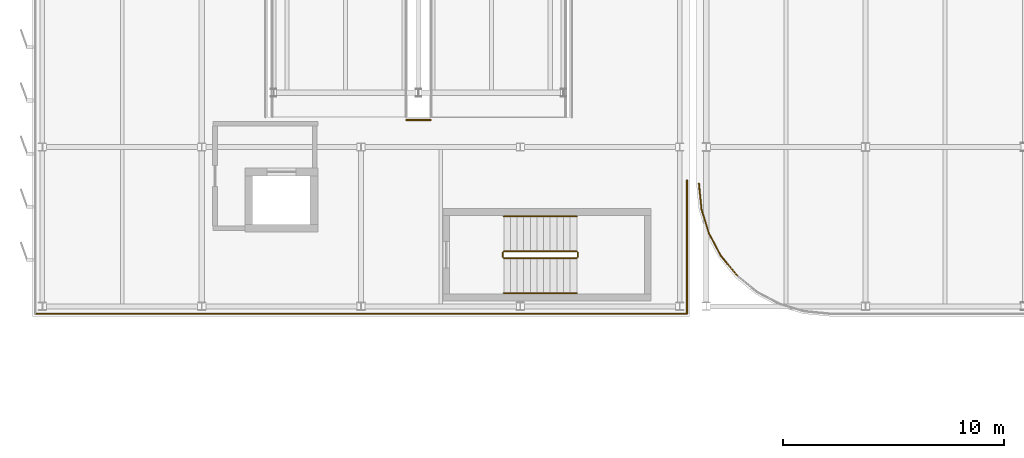
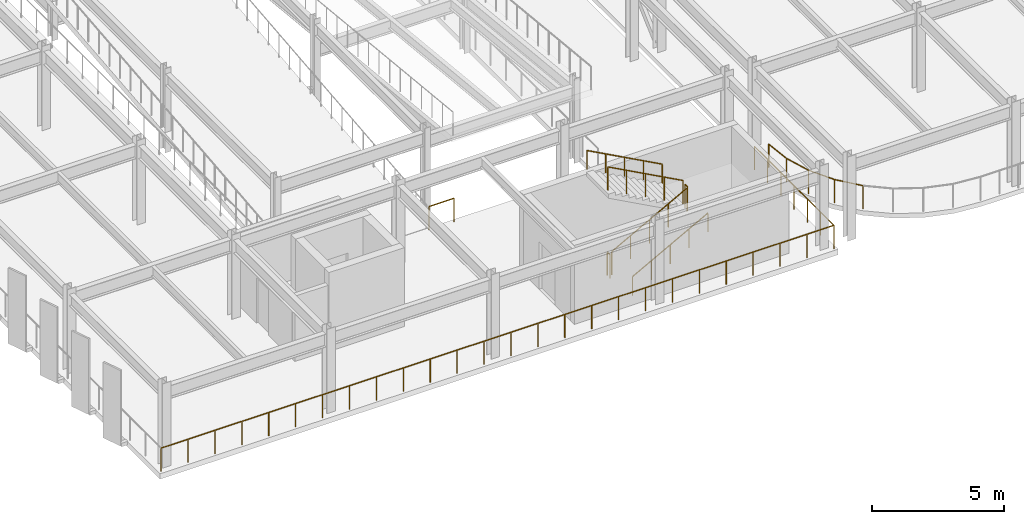
# One storey, part 42 of 52: 13 railings.
"""IFC4 building model written with IfcOpenShell, lengths in metres."""

from ifc_helpers import new_model, si_unit, direction, frame, origin, origin_2d, place, context, subcontext, project, spatial, circle, extrude, material, layer, layer_set, type_object, element, save


model = new_model("IFC4")

# Units and contexts
model_context = context("Model", 3, precision=1e-05, world=origin(), true_north=direction((0.0, 1.0)))
body_context = subcontext(model_context, "Body", "Model", "MODEL_VIEW")
ifc_project = project(units=[si_unit("LENGTHUNIT", "METRE"), si_unit("AREAUNIT", "SQUARE_METRE"), si_unit("VOLUMEUNIT", "CUBIC_METRE"), si_unit("PLANEANGLEUNIT", "RADIAN"), si_unit("MASSUNIT", "GRAM", prefix="KILO")], contexts=[model_context])

# Site, building, storey
site_placement = place(None, origin())
site = spatial("IfcSite", under=ifc_project, at=site_placement, CompositionType="ELEMENT")
building_placement = place(site_placement, origin())
building = spatial("IfcBuilding", under=site, at=building_placement, Name="Vaelcorin Mobility Hub", CompositionType="ELEMENT")
storey_placement = place(building_placement, frame((0.0, 0.0, 13.199951171875)))
storey = spatial("IfcBuildingStorey", under=building, at=storey_placement, Name="L03", CompositionType="ELEMENT", Elevation=13.199951171875)

# Railings
ifc_material_1 = material(Name="Galvanised structural steel ASTM A36", Category="steel")
ifc_layer_1 = layer(ifc_material_1, 0.070068359375)
ifc_layer_set_1 = layer_set([ifc_layer_1], Name="Galvanised structural steel ASTM A36")
railing_type_1 = type_object("IfcRailingType", Name="RL-GUARD-1100", PredefinedType="BALUSTRADE", material=ifc_layer_set_1)
railing_1_placement = place(storey_placement, frame((35.669921875, 82.35009765625, 0.0)))
element("IfcRailing", 1, at=railing_1_placement, inside=storey, type_object=railing_type_1, Name="L03 Perimeter Guard GR-V4-L03-S-01-01", PredefinedType="BALUSTRADE", context=body_context, shape_type="SweptSolid", body=[
    extrude(circle(Radius=0.02392578125, at=origin_2d()), frame((0.0, 0.0, 1.076171875), z_axis=(0.098056761291, -0.995180823552, 0.0), x_axis=(0.995180823552, 0.098056761291, 0.0)), (0.0, 0.0, 1.0), 1.15283203125),
    extrude(circle(Radius=0.02099609375, at=origin_2d()), origin(), (0.0, 0.0, 1.0), 1.052001953125),
    extrude(circle(Radius=0.02099609375, at=origin_2d()), frame((0.113037109375, -1.147216796875, 0.0)), (0.0, 0.0, 1.0), 1.052001953125),
])
railing_2_placement = place(storey_placement, frame((35.782958984375, 81.202880859375, 0.0)))
element("IfcRailing", 2, at=railing_2_placement, inside=storey, type_object=railing_type_1, Name="L03 Perimeter Guard GR-V4-L03-S-01-02", PredefinedType="BALUSTRADE", context=body_context, shape_type="SweptSolid", body=[
    extrude(circle(Radius=0.02392578125, at=origin_2d()), frame((0.0, 0.0, 1.076171875), z_axis=(0.290630530394, -0.956835354073, 0.0), x_axis=(0.956835354073, 0.290630530394, 0.0)), (0.0, 0.0, 1.0), 1.152587890625),
    extrude(circle(Radius=0.02099609375, at=origin_2d()), origin(), (0.0, 0.0, 1.0), 1.052001953125),
    extrude(circle(Radius=0.02099609375, at=origin_2d()), frame((0.3349609375, -1.102783203125, 0.0)), (0.0, 0.0, 1.0), 1.052001953125),
])
railing_3_placement = place(storey_placement, frame((36.117919921875, 80.10009765625, 0.0)))
element("IfcRailing", 3, at=railing_3_placement, inside=storey, type_object=railing_type_1, Name="L03 Perimeter Guard GR-V4-L03-S-01-03", PredefinedType="BALUSTRADE", context=body_context, shape_type="SweptSolid", body=[
    extrude(circle(Radius=0.02392578125, at=origin_2d()), frame((0.0, 0.0, 1.076171875), z_axis=(0.470939899312, -0.882165297003, 0.0), x_axis=(0.882165297003, 0.470939899312, 0.0)), (0.0, 0.0, 1.0), 1.15283203125),
    extrude(circle(Radius=0.02099609375, at=origin_2d()), origin(), (0.0, 0.0, 1.0), 1.052001953125),
    extrude(circle(Radius=0.02099609375, at=origin_2d()), frame((0.54296875, -1.01708984375, 0.0)), (0.0, 0.0, 1.0), 1.052001953125),
])
railing_4_placement = place(storey_placement, frame((36.660888671875, 79.0830078125, 0.0)))
element("IfcRailing", 4, at=railing_4_placement, inside=storey, type_object=railing_type_1, Name="L03 Perimeter Guard GR-V4-L03-S-01-04", PredefinedType="BALUSTRADE", context=body_context, shape_type="SweptSolid", body=[
    extrude(circle(Radius=0.02392578125, at=origin_2d()), frame((0.0, 0.0, 1.076171875), z_axis=(0.63433283962, -0.773060054963, 0.0), x_axis=(0.773060054963, 0.63433283962, 0.0)), (0.0, 0.0, 1.0), 1.152587890625),
    extrude(circle(Radius=0.02099609375, at=origin_2d()), origin(), (0.0, 0.0, 1.0), 1.052001953125),
    extrude(circle(Radius=0.02099609375, at=origin_2d()), frame((0.731201171875, -0.89111328125, 0.0)), (0.0, 0.0, 1.0), 1.052001953125),
])
railing_5_placement = place(storey_placement, frame((22.449951171875, 85.219970703125, 0.0)))
element("IfcRailing", 5, at=railing_5_placement, inside=storey, type_object=railing_type_1, Name="L03 Perimeter Guard GR-V2W-L03-WELL-MED-01", PredefinedType="BALUSTRADE", context=body_context, shape_type="SweptSolid", body=[
    extrude(circle(Radius=0.02392578125, at=origin_2d()), frame((0.0, 0.0, 1.076171875), z_axis=(1.0, 0.0, 0.0), x_axis=(0.0, 1.0, 0.0)), (0.0, 0.0, 1.0), 1.10009765625),
    extrude(circle(Radius=0.02099609375, at=origin_2d()), origin(), (0.0, 0.0, 1.0), 1.052001953125),
    extrude(circle(Radius=0.02099609375, at=origin_2d()), frame((1.10009765625, 0.0, 0.0)), (0.0, 0.0, 1.0), 1.052001953125),
])
railing_6_placement = place(storey_placement, frame((35.1298828125, 82.5, 0.0)))
element("IfcRailing", 6, at=railing_6_placement, inside=storey, type_object=railing_type_1, Name="L03 Perimeter Guard GR-V2W-L03-01", PredefinedType="BALUSTRADE", context=body_context, shape_type="SweptSolid", body=[
    extrude(circle(Radius=0.02392578125, at=origin_2d()), frame((0.0, 0.0, 1.076171875), z_axis=(0.0, -1.0, 0.0), x_axis=(1.0, 0.0, 0.0)), (0.0, 0.0, 1.0), 6.030029296875),
    extrude(circle(Radius=0.02099609375, at=origin_2d()), origin(), (0.0, 0.0, 1.0), 1.052001953125),
    extrude(circle(Radius=0.02099609375, at=origin_2d()), frame((0.0, -1.0048828125, 0.0)), (0.0, 0.0, 1.0), 1.052001953125),
    extrude(circle(Radius=0.02099609375, at=origin_2d()), frame((0.0, -2.010009765625, 0.0)), (0.0, 0.0, 1.0), 1.052001953125),
    extrude(circle(Radius=0.02099609375, at=origin_2d()), frame((0.0, -3.01513671875, 0.0)), (0.0, 0.0, 1.0), 1.052001953125),
    extrude(circle(Radius=0.02099609375, at=origin_2d()), frame((0.0, -4.02001953125, 0.0)), (0.0, 0.0, 1.0), 1.052001953125),
    extrude(circle(Radius=0.02099609375, at=origin_2d()), frame((0.0, -5.02490234375, 0.0)), (0.0, 0.0, 1.0), 1.052001953125),
    extrude(circle(Radius=0.02099609375, at=origin_2d()), frame((0.0, -6.030029296875, 0.0)), (0.0, 0.0, 1.0), 1.052001953125),
])
railing_7_placement = place(storey_placement, frame((35.1298828125, 76.469970703125, 0.0)))
element("IfcRailing", 7, at=railing_7_placement, inside=storey, type_object=railing_type_1, Name="L03 Perimeter Guard GR-V2W-L03-02", PredefinedType="BALUSTRADE", context=body_context, shape_type="SweptSolid", body=[
    extrude(circle(Radius=0.02392578125, at=origin_2d()), frame((0.0, 0.0, 1.076171875), z_axis=(-1.0, 0.0, 0.0), x_axis=(0.0, -1.0, 0.0)), (0.0, 0.0, 1.0), 29.4599609375),
    extrude(circle(Radius=0.02099609375, at=origin_2d()), origin(), (0.0, 0.0, 1.0), 1.052001953125),
    extrude(circle(Radius=0.02099609375, at=origin_2d()), frame((-1.178466796875, 0.0, 0.0)), (0.0, 0.0, 1.0), 1.052001953125),
    extrude(circle(Radius=0.02099609375, at=origin_2d()), frame((-2.356689453125, 0.0, 0.0)), (0.0, 0.0, 1.0), 1.052001953125),
    extrude(circle(Radius=0.02099609375, at=origin_2d()), frame((-3.53515625, 0.0, 0.0)), (0.0, 0.0, 1.0), 1.052001953125),
    extrude(circle(Radius=0.02099609375, at=origin_2d()), frame((-4.713623046875, 0.0, 0.0)), (0.0, 0.0, 1.0), 1.052001953125),
    extrude(circle(Radius=0.02099609375, at=origin_2d()), frame((-5.89208984375, 0.0, 0.0)), (0.0, 0.0, 1.0), 1.052001953125),
    extrude(circle(Radius=0.02099609375, at=origin_2d()), frame((-7.0703125, 0.0, 0.0)), (0.0, 0.0, 1.0), 1.052001953125),
    extrude(circle(Radius=0.02099609375, at=origin_2d()), frame((-8.248779296875, 0.0, 0.0)), (0.0, 0.0, 1.0), 1.052001953125),
    extrude(circle(Radius=0.02099609375, at=origin_2d()), frame((-9.42724609375, 0.0, 0.0)), (0.0, 0.0, 1.0), 1.052001953125),
    extrude(circle(Radius=0.02099609375, at=origin_2d()), frame((-10.60546875, 0.0, 0.0)), (0.0, 0.0, 1.0), 1.052001953125),
    extrude(circle(Radius=0.02099609375, at=origin_2d()), frame((-11.783935546875, 0.0, 0.0)), (0.0, 0.0, 1.0), 1.052001953125),
    extrude(circle(Radius=0.02099609375, at=origin_2d()), frame((-12.96240234375, 0.0, 0.0)), (0.0, 0.0, 1.0), 1.052001953125),
    extrude(circle(Radius=0.02099609375, at=origin_2d()), frame((-14.140869140625, 0.0, 0.0)), (0.0, 0.0, 1.0), 1.052001953125),
    extrude(circle(Radius=0.02099609375, at=origin_2d()), frame((-15.319091796875, 0.0, 0.0)), (0.0, 0.0, 1.0), 1.052001953125),
    extrude(circle(Radius=0.02099609375, at=origin_2d()), frame((-16.49755859375, 0.0, 0.0)), (0.0, 0.0, 1.0), 1.052001953125),
    extrude(circle(Radius=0.02099609375, at=origin_2d()), frame((-17.676025390625, 0.0, 0.0)), (0.0, 0.0, 1.0), 1.052001953125),
    extrude(circle(Radius=0.02099609375, at=origin_2d()), frame((-18.8544921875, 0.0, 0.0)), (0.0, 0.0, 1.0), 1.052001953125),
    extrude(circle(Radius=0.02099609375, at=origin_2d()), frame((-20.03271484375, 0.0, 0.0)), (0.0, 0.0, 1.0), 1.052001953125),
    extrude(circle(Radius=0.02099609375, at=origin_2d()), frame((-21.211181640625, 0.0, 0.0)), (0.0, 0.0, 1.0), 1.052001953125),
    extrude(circle(Radius=0.02099609375, at=origin_2d()), frame((-22.3896484375, 0.0, 0.0)), (0.0, 0.0, 1.0), 1.052001953125),
    extrude(circle(Radius=0.02099609375, at=origin_2d()), frame((-23.56787109375, 0.0, 0.0)), (0.0, 0.0, 1.0), 1.052001953125),
    extrude(circle(Radius=0.02099609375, at=origin_2d()), frame((-24.746337890625, 0.0, 0.0)), (0.0, 0.0, 1.0), 1.052001953125),
    extrude(circle(Radius=0.02099609375, at=origin_2d()), frame((-25.9248046875, 0.0, 0.0)), (0.0, 0.0, 1.0), 1.052001953125),
    extrude(circle(Radius=0.02099609375, at=origin_2d()), frame((-27.103271484375, 0.0, 0.0)), (0.0, 0.0, 1.0), 1.052001953125),
    extrude(circle(Radius=0.02099609375, at=origin_2d()), frame((-28.281494140625, 0.0, 0.0)), (0.0, 0.0, 1.0), 1.052001953125),
    extrude(circle(Radius=0.02099609375, at=origin_2d()), frame((-29.4599609375, 0.0, 0.0)), (0.0, 0.0, 1.0), 1.052001953125),
])
ifc_material_2 = material(Name="Brushed stainless steel 316L", Category="steel")
ifc_layer_2 = layer(ifc_material_2, 0.048095703125)
ifc_layer_set_2 = layer_set([ifc_layer_2], Name="Brushed stainless steel 316L")
railing_type_2 = type_object("IfcRailingType", Name="RL-STAIR-GRD", PredefinedType="GUARDRAIL", material=ifc_layer_set_2)
railing_8_placement = place(storey_placement, frame((26.85009765625, 78.97998046875, 0.16259765625)))
element("IfcRailing", 8, at=railing_8_placement, inside=storey, type_object=railing_type_2, Name="L03 ST1 stair guard 1", PredefinedType="GUARDRAIL", context=body_context, shape_type="SweptSolid", body=[
    extrude(circle(Radius=0.02392578125, at=origin_2d()), frame((0.0, 0.0, 1.076171875), z_axis=(0.879296507316, 0.0, 0.476274765468), x_axis=(0.0, 1.0, 0.0)), (0.0, 0.0, 1.0), 3.752685546875),
    extrude(circle(Radius=0.02099609375, at=origin_2d()), origin(), (0.0, 0.0, 1.0), 1.052001953125),
    extrude(circle(Radius=0.02099609375, at=origin_2d()), frame((0.824951171875, 0.0, 0.44677734375)), (0.0, 0.0, 1.0), 1.052001953125),
    extrude(circle(Radius=0.02099609375, at=origin_2d()), frame((1.64990234375, 0.0, 0.8935546875)), (0.0, 0.0, 1.0), 1.052001953125),
    extrude(circle(Radius=0.02099609375, at=origin_2d()), frame((2.474853515625, 0.0, 1.340576171875)), (0.0, 0.0, 1.0), 1.052001953125),
    extrude(circle(Radius=0.02099609375, at=origin_2d()), frame((3.2998046875, 0.0, 1.787353515625)), (0.0, 0.0, 1.0), 1.052001953125),
])
railing_9_placement = place(storey_placement, frame((30.199951171875, 79.030029296875, 1.949951171875)))
element("IfcRailing", 9, at=railing_9_placement, inside=storey, type_object=railing_type_2, Name="L03 ST1 stair guard 2", PredefinedType="GUARDRAIL", context=body_context, shape_type="SweptSolid", body=[
    extrude(circle(Radius=0.02392578125, at=origin_2d()), frame((0.0, 0.0, 1.076171875), z_axis=(0.0, 1.0, 0.0), x_axis=(-1.0, 0.0, 0.0)), (0.0, 0.0, 1.0), 0.199951171875),
    extrude(circle(Radius=0.02099609375, at=origin_2d()), origin(), (0.0, 0.0, 1.0), 1.052001953125),
    extrude(circle(Radius=0.02099609375, at=origin_2d()), frame((0.0, 0.199951171875, 0.0)), (0.0, 0.0, 1.0), 1.052001953125),
])
railing_10_placement = place(storey_placement, frame((30.14990234375, 79.280029296875, 2.112548828125)))
element("IfcRailing", 10, at=railing_10_placement, inside=storey, type_object=railing_type_2, Name="L03 ST1 stair guard 3", PredefinedType="GUARDRAIL", context=body_context, shape_type="SweptSolid", body=[
    extrude(circle(Radius=0.02392578125, at=origin_2d()), frame((0.0, 0.0, 1.076171875), z_axis=(-0.879269262144, 0.0, 0.476325061958), x_axis=(0.0, -1.0, 0.0)), (0.0, 0.0, 1.0), 3.7529296875),
    extrude(circle(Radius=0.02099609375, at=origin_2d()), origin(), (0.0, 0.0, 1.0), 1.052001953125),
    extrude(circle(Radius=0.02099609375, at=origin_2d()), frame((-0.824951171875, 0.0, 0.44677734375)), (0.0, 0.0, 1.0), 1.052001953125),
    extrude(circle(Radius=0.02099609375, at=origin_2d()), frame((-1.64990234375, 0.0, 0.893798828125)), (0.0, 0.0, 1.0), 1.052001953125),
    extrude(circle(Radius=0.02099609375, at=origin_2d()), frame((-2.474853515625, 0.0, 1.3408203125)), (0.0, 0.0, 1.0), 1.052001953125),
    extrude(circle(Radius=0.02099609375, at=origin_2d()), frame((-3.2998046875, 0.0, 1.78759765625)), (0.0, 0.0, 1.0), 1.052001953125),
])
railing_11_placement = place(storey_placement, frame((26.800048828125, 79.030029296875, 0.0)))
element("IfcRailing", 11, at=railing_11_placement, inside=storey, type_object=railing_type_2, Name="L03 ST1 stair guard 4", PredefinedType="GUARDRAIL", context=body_context, shape_type="SweptSolid", body=[
    extrude(circle(Radius=0.02392578125, at=origin_2d()), frame((0.0, 0.0, 1.076171875), z_axis=(0.0, 1.0, 0.0), x_axis=(-1.0, 0.0, 0.0)), (0.0, 0.0, 1.0), 0.199951171875),
    extrude(circle(Radius=0.02099609375, at=origin_2d()), origin(), (0.0, 0.0, 1.0), 1.052001953125),
    extrude(circle(Radius=0.02099609375, at=origin_2d()), frame((0.0, 0.199951171875, 0.0)), (0.0, 0.0, 1.0), 1.052001953125),
])
ifc_layer_3 = layer(ifc_material_2, 0.048095703125)
ifc_layer_set_3 = layer_set([ifc_layer_3], Name="Brushed stainless steel 316L")
railing_type_3 = type_object("IfcRailingType", Name="RL-STAIR-HR", PredefinedType="HANDRAIL", material=ifc_layer_set_3)
railing_12_placement = place(storey_placement, frame((26.85009765625, 77.39990234375, 0.16259765625)))
element("IfcRailing", 12, at=railing_12_placement, inside=storey, type_object=railing_type_3, Name="L03 ST1 stair handrail 1", PredefinedType="HANDRAIL", context=body_context, shape_type="SweptSolid", body=[
    extrude(circle(Radius=0.02392578125, at=origin_2d()), frame((0.0, 0.0, 0.8759765625), z_axis=(0.879296507316, 0.0, 0.476274765468), x_axis=(0.0, 1.0, 0.0)), (0.0, 0.0, 1.0), 3.752685546875),
    extrude(circle(Radius=0.02099609375, at=origin_2d()), origin(), (0.0, 0.0, 1.0), 0.851806640625),
    extrude(circle(Radius=0.02099609375, at=origin_2d()), frame((0.824951171875, 0.0, 0.44677734375)), (0.0, 0.0, 1.0), 0.851806640625),
    extrude(circle(Radius=0.02099609375, at=origin_2d()), frame((1.64990234375, 0.0, 0.8935546875)), (0.0, 0.0, 1.0), 0.851806640625),
    extrude(circle(Radius=0.02099609375, at=origin_2d()), frame((2.474853515625, 0.0, 1.340576171875)), (0.0, 0.0, 1.0), 0.851806640625),
    extrude(circle(Radius=0.02099609375, at=origin_2d()), frame((3.2998046875, 0.0, 1.787353515625)), (0.0, 0.0, 1.0), 0.851806640625),
])
railing_13_placement = place(storey_placement, frame((30.14990234375, 80.860107421875, 2.112548828125)))
element("IfcRailing", 13, at=railing_13_placement, inside=storey, type_object=railing_type_3, Name="L03 ST1 stair handrail 2", PredefinedType="HANDRAIL", context=body_context, shape_type="SweptSolid", body=[
    extrude(circle(Radius=0.02392578125, at=origin_2d()), frame((0.0, 0.0, 0.8759765625), z_axis=(-0.879269262144, 0.0, 0.476325061958), x_axis=(0.0, -1.0, 0.0)), (0.0, 0.0, 1.0), 3.7529296875),
    extrude(circle(Radius=0.02099609375, at=origin_2d()), origin(), (0.0, 0.0, 1.0), 0.851806640625),
    extrude(circle(Radius=0.02099609375, at=origin_2d()), frame((-0.824951171875, 0.0, 0.44677734375)), (0.0, 0.0, 1.0), 0.851806640625),
    extrude(circle(Radius=0.02099609375, at=origin_2d()), frame((-1.64990234375, 0.0, 0.893798828125)), (0.0, 0.0, 1.0), 0.851806640625),
    extrude(circle(Radius=0.02099609375, at=origin_2d()), frame((-2.474853515625, 0.0, 1.3408203125)), (0.0, 0.0, 1.0), 0.851806640625),
    extrude(circle(Radius=0.02099609375, at=origin_2d()), frame((-3.2998046875, 0.0, 1.78759765625)), (0.0, 0.0, 1.0), 0.851806640625),
])

save(model, "model.ifc")
